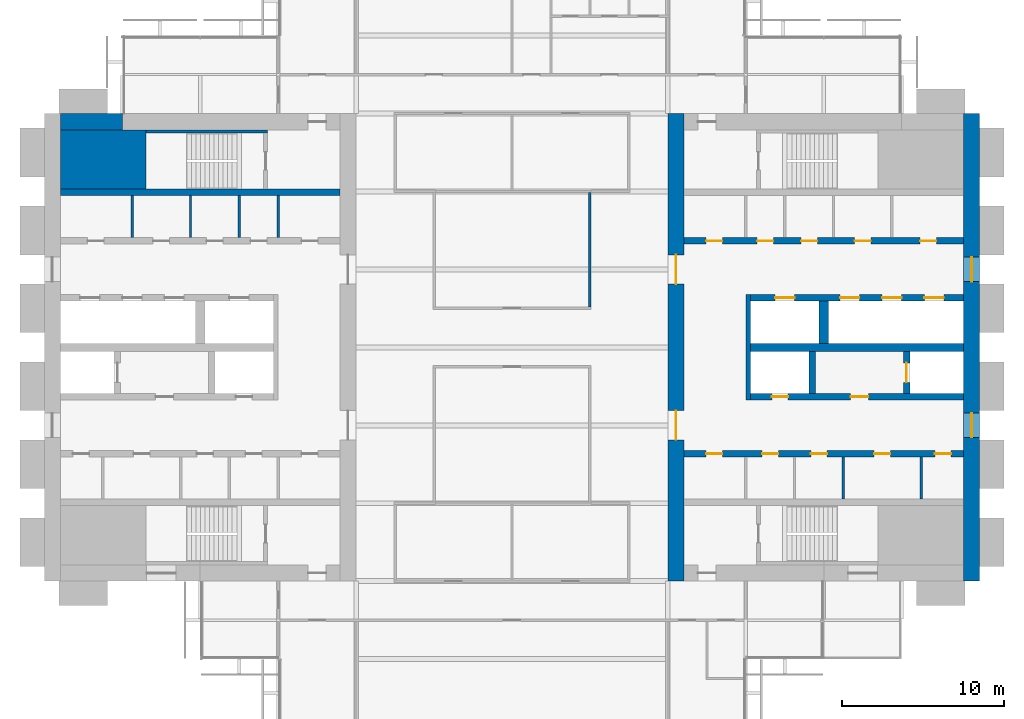
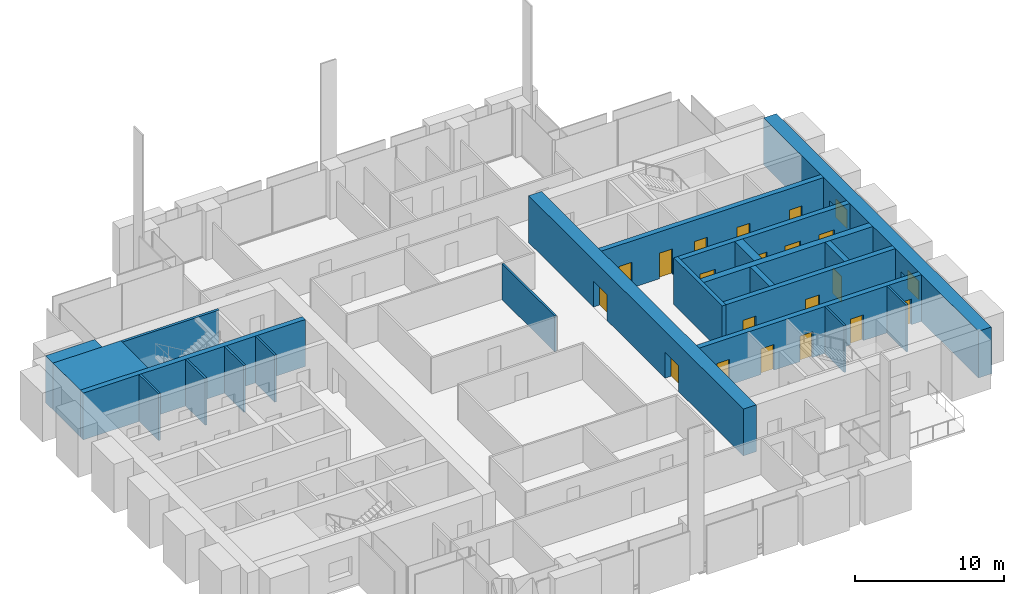
# One storey, part 11 of 14: 22 walls, 19 doors, 2 windows, 21 openings.
"""IFC4 building model written with IfcOpenShell, lengths in metres."""

from ifc_helpers import new_model, si_unit, direction, frame, frame_2d, origin, place, context, subcontext, project, spatial, rectangle, extrude, material, layer, layer_set, type_object, element, fill, save


model = new_model("IFC4")

# Units and contexts
model_context = context("Model", 3, precision=1e-05, world=origin(), true_north=direction((0.0, 1.0)))
body_context = subcontext(model_context, "Body", "Model", "MODEL_VIEW")
ifc_project = project(units=[si_unit("LENGTHUNIT", "METRE"), si_unit("AREAUNIT", "SQUARE_METRE"), si_unit("VOLUMEUNIT", "CUBIC_METRE"), si_unit("PLANEANGLEUNIT", "RADIAN"), si_unit("MASSUNIT", "GRAM", prefix="KILO")], contexts=[model_context])

# Site, building, storey
site_placement = place(None, origin())
site = spatial("IfcSite", under=ifc_project, at=site_placement, CompositionType="ELEMENT")
building_placement = place(site_placement, origin())
building = spatial("IfcBuilding", under=site, at=building_placement, Name="Baori Bourse Tower", CompositionType="ELEMENT")
storey_placement = place(building_placement, frame((0.0, 0.0, 120.10009765625)))
storey = spatial("IfcBuildingStorey", under=building, at=storey_placement, Name="L25", CompositionType="ELEMENT", Elevation=120.10009765625)

# Walls
ifc_material_1 = material(Name="Concrete f'c 60 MPa", Category="concrete")
wall_type_1 = type_object("IfcWallType", Name="Core corner block f'c 60", PredefinedType="SHEAR", material=ifc_material_1)
wall_1_placement = place(storey_placement, frame((1.0, 35.574951171875, 0.0), z_axis=(0.0, 0.0, 1.0), x_axis=(1.0, 0.0, 0.0)))
element("IfcWall", 1, at=wall_1_placement, inside=storey, type_object=wall_type_1, Name="Core wall W28", PredefinedType="SHEAR", context=body_context, shape_type="SweptSolid", body=[
    extrude(rectangle(XDim=5.25, YDim=3.64990234375, at=frame_2d((2.625, 0.0))), origin(), (0.0, 0.0, 1.0), 3.83984375),
])
ifc_material_2 = material(Name="Blockwork partition", Category="masonry")
ifc_layer_1 = layer(ifc_material_2, 0.14990234375)
ifc_layer_set_1 = layer_set([ifc_layer_1], Name="Core partition 150")
wall_type_2 = type_object("IfcWallType", Name="Core partition 150", PredefinedType="PARTITIONING", material=ifc_layer_set_1)
for number, where, z_axis, x_axis, name in (
    (2, (5.39990234375, 30.75, 0.0), (0.0, 0.0, 1.0), (0.0, 1.0, 0.0), "Partition wall W23"),
    (3, (9.0, 30.75, 0.0), (0.0, 0.0, 1.0), (0.0, 1.0, 0.0), "Partition wall W24"),
    (4, (12.0, 30.75, 0.0), (0.0, 0.0, 1.0), (0.0, 1.0, 0.0), "Partition wall W25"),
    (5, (14.39990234375, 30.75, 0.0), (0.0, 0.0, 1.0), (0.0, 1.0, 0.0), "Partition wall W26"),
    (6, (54.0, 14.64990234375, 0.0), (0.0, 0.0, 1.0), (0.0, 1.0, 0.0), "Partition wall E10"),
    (7, (49.199951171875, 14.64990234375, 0.0), (0.0, 0.0, 1.0), (0.0, 1.0, 0.0), "Partition wall E11"),
):
    element("IfcWall", number, at=place(storey_placement, frame(where, z_axis=z_axis, x_axis=x_axis)), inside=storey, type_object=wall_type_2, Name=name, PredefinedType="PARTITIONING", context=body_context, shape_type="SweptSolid", body=[
        extrude(rectangle(XDim=2.60009765625, YDim=0.14990234375, at=frame_2d((1.300048828125, 0.0))), origin(), (0.0, 0.0, 1.0), 3.83984375),
    ])
ifc_material_3 = material(Name="Concrete f'c 60 MPa", Category="concrete")
ifc_layer_2 = layer(ifc_material_3, 1.0)
ifc_layer_set_2 = layer_set([ifc_layer_2], Name="Core wall 1000 f'c 60")
wall_type_3 = type_object("IfcWallType", Name="Core wall 1000 f'c 60", PredefinedType="SHEAR", material=ifc_layer_set_2)
wall_2_placement = place(storey_placement, frame((1.0, 37.89990234375, 0.0), z_axis=(0.0, 0.0, 1.0), x_axis=(1.0, 0.0, 0.0)))
element("IfcWall", 8, at=wall_2_placement, inside=storey, type_object=wall_type_3, Name="Core wall W31", PredefinedType="SHEAR", context=body_context, shape_type="SweptSolid", body=[
    extrude(rectangle(XDim=3.800048828125, YDim=1.0, at=frame_2d((1.89990234375, 0.0))), origin(), (0.0, 0.0, 1.0), 3.83984375),
])

# Wall, openings, windows
wall_3_placement = place(storey_placement, frame((57.10009765625, 38.39990234375, 0.0), z_axis=(0.0, 0.0, 1.0), x_axis=(0.0, -1.0, 0.0)))
wall_3 = element("IfcWall", 9, at=wall_3_placement, inside=storey, type_object=wall_type_3, Name="Core wall E01", PredefinedType="SHEAR", context=body_context, shape_type="SweptSolid", body=[
    extrude(rectangle(XDim=28.7998046875, YDim=1.0, at=frame_2d((14.39990234375, 0.0))), origin(), (0.0, 0.0, 1.0), 3.83984375),
])
opening_1_placement = place(wall_3_placement, frame((18.449951171875, 0.0, 0.89990234375)))
opening_1 = element("IfcOpeningElement", 10, at=opening_1_placement, cuts=wall_3, Name="Opening L25-KW201", PredefinedType="OPENING", context=body_context, shape_type="SweptSolid", body=[
    extrude(rectangle(XDim=1.5, YDim=1.5, at=frame_2d((0.75, 0.75))), frame((0.0, 0.510009765625, 0.0), z_axis=(0.0, -1.0, 0.0), x_axis=(1.0, 0.0, 0.0)), (0.0, 0.0, 1.0), 1.02001953125),
])
opening_2_placement = place(wall_3_placement, frame((8.85009765625, 0.0, 0.89990234375)))
opening_2 = element("IfcOpeningElement", 11, at=opening_2_placement, cuts=wall_3, Name="Opening L25-KW202", PredefinedType="OPENING", context=body_context, shape_type="SweptSolid", body=[
    extrude(rectangle(XDim=1.5, YDim=1.5, at=frame_2d((0.75, 0.75))), frame((0.0, 0.510009765625, 0.0), z_axis=(0.0, -1.0, 0.0), x_axis=(1.0, 0.0, 0.0)), (0.0, 0.0, 1.0), 1.02001953125),
])
ifc_material_4 = material(Name="Pale anodised aluminium", Category="aluminium")
window_type = type_object("IfcWindowType", Name="Lobby window 1500 x 1500", PartitioningType="SINGLE_PANEL", PredefinedType="WINDOW", material=ifc_material_4)
window_1_placement = place(opening_1_placement, origin())
window_1 = element("IfcWindow", 12, at=window_1_placement, inside=storey, type_object=window_type, Name="Outer wall window E L25 1", OverallHeight=1.5, OverallWidth=1.5, PartitioningType="SINGLE_PANEL", PredefinedType="WINDOW", context=body_context, shape_type="SweptSolid", body=[
    extrude(rectangle(XDim=1.5, YDim=1.5, at=frame_2d((0.75, 0.75))), frame((0.0, 0.030029296875, 0.0), z_axis=(0.0, -1.0, 0.0), x_axis=(1.0, 0.0, 0.0)), (0.0, 0.0, 1.0), 0.06005859375),
])
fill(opening_1, window_1)
window_2_placement = place(opening_2_placement, origin())
window_2 = element("IfcWindow", 13, at=window_2_placement, inside=storey, type_object=window_type, Name="Outer wall window E L25 2", OverallHeight=1.5, OverallWidth=1.5, PartitioningType="SINGLE_PANEL", PredefinedType="WINDOW", context=body_context, shape_type="SweptSolid", body=[
    extrude(rectangle(XDim=1.5, YDim=1.5, at=frame_2d((0.75, 0.75))), frame((0.0, 0.030029296875, 0.0), z_axis=(0.0, -1.0, 0.0), x_axis=(1.0, 0.0, 0.0)), (0.0, 0.0, 1.0), 0.06005859375),
])
fill(opening_2, window_2)

# Wall, openings, doors
wall_4_placement = place(storey_placement, frame((38.89990234375, 9.60009765625, 0.0), z_axis=(0.0, 0.0, 1.0), x_axis=(0.0, 1.0, 0.0)))
wall_4 = element("IfcWall", 14, at=wall_4_placement, inside=storey, type_object=wall_type_3, Name="Core wall E04", PredefinedType="SHEAR", context=body_context, shape_type="SweptSolid", body=[
    extrude(rectangle(XDim=28.7998046875, YDim=1.0, at=frame_2d((14.39990234375, 0.0))), origin(), (0.0, 0.0, 1.0), 3.83984375),
])
opening_3_placement = place(wall_4_placement, frame((8.699951171875, 0.0, 0.0)))
opening_3 = element("IfcOpeningElement", 15, at=opening_3_placement, cuts=wall_4, Name="Opening L25-D207", PredefinedType="OPENING", context=body_context, shape_type="SweptSolid", body=[
    extrude(rectangle(XDim=1.800048828125, YDim=2.10009765625, at=frame_2d((0.89990234375, 1.050048828125))), frame((0.0, 0.510009765625, 0.0), z_axis=(0.0, -1.0, 0.0), x_axis=(1.0, 0.0, 0.0)), (0.0, 0.0, 1.0), 1.02001953125),
])
opening_4_placement = place(wall_4_placement, frame((18.300048828125, 0.0, 0.0)))
opening_4 = element("IfcOpeningElement", 16, at=opening_4_placement, cuts=wall_4, Name="Opening L25-D208", PredefinedType="OPENING", context=body_context, shape_type="SweptSolid", body=[
    extrude(rectangle(XDim=1.800048828125, YDim=2.10009765625, at=frame_2d((0.89990234375, 1.050048828125))), frame((0.0, 0.510009765625, 0.0), z_axis=(0.0, -1.0, 0.0), x_axis=(1.0, 0.0, 0.0)), (0.0, 0.0, 1.0), 1.02001953125),
])
ifc_material_5 = material(Name="Painted steel door", Category="steel")
door_type_1 = type_object("IfcDoorType", Name="Core lobby door 1800", OperationType="DOUBLE_DOOR_SINGLE_SWING", PredefinedType="DOOR", material=ifc_material_5)
door_1_placement = place(opening_3_placement, origin())
door_1 = element("IfcDoor", 17, at=door_1_placement, inside=storey, type_object=door_type_1, Name="Lobby door E L25", OperationType="DOUBLE_DOOR_SINGLE_SWING", OverallHeight=2.10009765625, OverallWidth=1.800048828125, PredefinedType="DOOR", context=body_context, shape_type="SweptSolid", body=[
    extrude(rectangle(XDim=1.800048828125, YDim=2.10009765625, at=frame_2d((0.89990234375, 1.050048828125))), frame((0.0, 0.02490234375, 0.0), z_axis=(0.0, -1.0, 0.0), x_axis=(1.0, 0.0, 0.0)), (0.0, 0.0, 1.0), 0.050048828125),
])
fill(opening_3, door_1)
door_2_placement = place(opening_4_placement, origin())
door_2 = element("IfcDoor", 18, at=door_2_placement, inside=storey, type_object=door_type_1, Name="Lobby door E L25", OperationType="DOUBLE_DOOR_SINGLE_SWING", OverallHeight=2.10009765625, OverallWidth=1.800048828125, PredefinedType="DOOR", context=body_context, shape_type="SweptSolid", body=[
    extrude(rectangle(XDim=1.800048828125, YDim=2.10009765625, at=frame_2d((0.89990234375, 1.050048828125))), frame((0.0, 0.02490234375, 0.0), z_axis=(0.0, -1.0, 0.0), x_axis=(1.0, 0.0, 0.0)), (0.0, 0.0, 1.0), 0.050048828125),
])
fill(opening_4, door_2)

# Walls
ifc_material_6 = material(Name="Gypsum board partition")
ifc_layer_3 = layer(ifc_material_6, 0.14990234375)
ifc_layer_set_3 = layer_set([ifc_layer_3], Name="Corridor partition 150")
wall_type_4 = type_object("IfcWallType", Name="Corridor partition 150", PredefinedType="PARTITIONING", material=ifc_layer_set_3)
wall_5_placement = place(storey_placement, frame((33.60009765625, 26.47509765625, 0.0), z_axis=(0.0, 0.0, 1.0), x_axis=(0.0, 1.0, 0.0)))
element("IfcWall", 19, at=wall_5_placement, inside=storey, type_object=wall_type_4, Name="Partition", PredefinedType="PARTITIONING", context=body_context, shape_type="SweptSolid", body=[
    extrude(rectangle(XDim=7.0498046875, YDim=0.14990234375, at=frame_2d((3.52490234375, 0.0))), origin(), (0.0, 0.0, 1.0), 2.935546875),
])
ifc_material_7 = material(Name="Concrete f'c 60 MPa", Category="concrete")
ifc_layer_4 = layer(ifc_material_7, 0.199951171875)
ifc_layer_set_4 = layer_set([ifc_layer_4], Name="Shaft wall 200 f'c 60")
wall_type_5 = type_object("IfcWallType", Name="Shaft wall 200 f'c 60", PredefinedType="SHEAR", material=ifc_layer_set_4)
wall_6_placement = place(storey_placement, frame((6.25, 37.300048828125, 0.0), z_axis=(0.0, 0.0, 1.0), x_axis=(1.0, 0.0, 0.0)))
element("IfcWall", 20, at=wall_6_placement, inside=storey, type_object=wall_type_5, Name="Core wall W30", PredefinedType="SHEAR", context=body_context, shape_type="SweptSolid", body=[
    extrude(rectangle(XDim=7.5, YDim=0.199951171875, at=frame_2d((3.75, 0.0))), origin(), (0.0, 0.0, 1.0), 3.83984375),
])
ifc_material_8 = material(Name="Concrete f'c 60 MPa", Category="concrete")
ifc_layer_5 = layer(ifc_material_8, 0.300048828125)
ifc_layer_set_5 = layer_set([ifc_layer_5], Name="Shaft wall 300 f'c 60")
wall_type_6 = type_object("IfcWallType", Name="Shaft wall 300 f'c 60", PredefinedType="SHEAR", material=ifc_layer_set_5)
wall_7_placement = place(storey_placement, frame((43.35009765625, 20.75, 0.0), z_axis=(0.0, 0.0, 1.0), x_axis=(0.0, 1.0, 0.0)))
element("IfcWall", 21, at=wall_7_placement, inside=storey, type_object=wall_type_6, Name="Core wall E16", PredefinedType="SHEAR", context=body_context, shape_type="SweptSolid", body=[
    extrude(rectangle(XDim=6.5, YDim=0.300048828125, at=frame_2d((3.25, 0.0))), origin(), (0.0, 0.0, 1.0), 3.83984375),
])
ifc_material_9 = material(Name="Concrete f'c 60 MPa", Category="concrete")
ifc_layer_6 = layer(ifc_material_9, 0.39990234375)
ifc_layer_set_6 = layer_set([ifc_layer_6], Name="Shaft wall 400 f'c 60")
wall_type_7 = type_object("IfcWallType", Name="Shaft wall 400 f'c 60", PredefinedType="SHEAR", material=ifc_layer_set_6)
wall_8_placement = place(storey_placement, frame((1.0, 33.550048828125, 0.0), z_axis=(0.0, 0.0, 1.0), x_axis=(1.0, 0.0, 0.0)))
element("IfcWall", 22, at=wall_8_placement, inside=storey, type_object=wall_type_7, Name="Core wall W27", PredefinedType="SHEAR", context=body_context, shape_type="SweptSolid", body=[
    extrude(rectangle(XDim=17.199951171875, YDim=0.39990234375, at=frame_2d((8.60009765625, 0.0))), origin(), (0.0, 0.0, 1.0), 3.83984375),
])

# Wall, openings, doors
wall_9_placement = place(storey_placement, frame((39.39990234375, 17.449951171875, 0.0), z_axis=(0.0, 0.0, 1.0), x_axis=(1.0, 0.0, 0.0)))
wall_9 = element("IfcWall", 23, at=wall_9_placement, inside=storey, type_object=wall_type_7, Name="Core wall E14", PredefinedType="SHEAR", context=body_context, shape_type="SweptSolid", body=[
    extrude(rectangle(XDim=17.2001953125, YDim=0.39990234375, at=frame_2d((8.60009765625, 0.0))), origin(), (0.0, 0.0, 1.0), 3.83984375),
])
opening_5_placement = place(wall_9_placement, frame((15.4375, 0.0, 0.0)))
opening_5 = element("IfcOpeningElement", 24, at=opening_5_placement, cuts=wall_9, Name="Opening L25-D214", PredefinedType="OPENING", context=body_context, shape_type="SweptSolid", body=[
    extrude(rectangle(XDim=1.0, YDim=2.10009765625, at=frame_2d((0.5, 1.050048828125))), frame((0.0, 0.2099609375, 0.0), z_axis=(0.0, -1.0, 0.0), x_axis=(1.0, 0.0, 0.0)), (0.0, 0.0, 1.0), 0.419921875),
])
opening_6_placement = place(wall_9_placement, frame((11.699951171875, 0.0, 0.0)))
opening_6 = element("IfcOpeningElement", 25, at=opening_6_placement, cuts=wall_9, Name="Opening L25-D215", PredefinedType="OPENING", context=body_context, shape_type="SweptSolid", body=[
    extrude(rectangle(XDim=1.0, YDim=2.10009765625, at=frame_2d((0.5, 1.050048828125))), frame((0.0, 0.2099609375, 0.0), z_axis=(0.0, -1.0, 0.0), x_axis=(1.0, 0.0, 0.0)), (0.0, 0.0, 1.0), 0.419921875),
])
opening_7_placement = place(wall_9_placement, frame((7.800048828125, 0.0, 0.0)))
opening_7 = element("IfcOpeningElement", 26, at=opening_7_placement, cuts=wall_9, Name="Opening L25-D216", PredefinedType="OPENING", context=body_context, shape_type="SweptSolid", body=[
    extrude(rectangle(XDim=1.0, YDim=2.10009765625, at=frame_2d((0.5, 1.050048828125))), frame((0.0, 0.2099609375, 0.0), z_axis=(0.0, -1.0, 0.0), x_axis=(1.0, 0.0, 0.0)), (0.0, 0.0, 1.0), 0.419921875),
])
opening_8_placement = place(wall_9_placement, frame((4.800048828125, 0.0, 0.0)))
opening_8 = element("IfcOpeningElement", 27, at=opening_8_placement, cuts=wall_9, Name="Opening L25-D217", PredefinedType="OPENING", context=body_context, shape_type="SweptSolid", body=[
    extrude(rectangle(XDim=1.0, YDim=2.10009765625, at=frame_2d((0.5, 1.050048828125))), frame((0.0, 0.2099609375, 0.0), z_axis=(0.0, -1.0, 0.0), x_axis=(1.0, 0.0, 0.0)), (0.0, 0.0, 1.0), 0.419921875),
])
opening_9_placement = place(wall_9_placement, frame((1.362548828125, 0.0, 0.0)))
opening_9 = element("IfcOpeningElement", 28, at=opening_9_placement, cuts=wall_9, Name="Opening L25-D218", PredefinedType="OPENING", context=body_context, shape_type="SweptSolid", body=[
    extrude(rectangle(XDim=1.0, YDim=2.10009765625, at=frame_2d((0.5, 1.050048828125))), frame((0.0, 0.2099609375, 0.0), z_axis=(0.0, -1.0, 0.0), x_axis=(1.0, 0.0, 0.0)), (0.0, 0.0, 1.0), 0.419921875),
])
ifc_material_10 = material(Name="Painted steel door", Category="steel")
door_type_2 = type_object("IfcDoorType", Name="Core door 1000", OperationType="SINGLE_SWING_LEFT", PredefinedType="DOOR", material=ifc_material_10)
door_3_placement = place(opening_6_placement, origin())
door_3 = element("IfcDoor", 29, at=door_3_placement, inside=storey, type_object=door_type_2, Name="Men'S Wc door E L25", OperationType="SINGLE_SWING_LEFT", OverallHeight=2.10009765625, OverallWidth=1.0, PredefinedType="DOOR", context=body_context, shape_type="SweptSolid", body=[
    extrude(rectangle(XDim=1.0, YDim=2.10009765625, at=frame_2d((0.5, 1.050048828125))), frame((0.0, 0.02490234375, 0.0), z_axis=(0.0, -1.0, 0.0), x_axis=(1.0, 0.0, 0.0)), (0.0, 0.0, 1.0), 0.050048828125),
])
fill(opening_6, door_3)
door_4_placement = place(opening_7_placement, origin())
door_4 = element("IfcDoor", 30, at=door_4_placement, inside=storey, type_object=door_type_2, Name="Accessible Wc door E L25", OperationType="SINGLE_SWING_LEFT", OverallHeight=2.10009765625, OverallWidth=1.0, PredefinedType="DOOR", context=body_context, shape_type="SweptSolid", body=[
    extrude(rectangle(XDim=1.0, YDim=2.10009765625, at=frame_2d((0.5, 1.050048828125))), frame((0.0, 0.02490234375, 0.0), z_axis=(0.0, -1.0, 0.0), x_axis=(1.0, 0.0, 0.0)), (0.0, 0.0, 1.0), 0.050048828125),
])
fill(opening_7, door_4)
door_5_placement = place(opening_9_placement, origin())
door_5 = element("IfcDoor", 31, at=door_5_placement, inside=storey, type_object=door_type_2, Name="Women'S Wc door E L25", OperationType="SINGLE_SWING_LEFT", OverallHeight=2.10009765625, OverallWidth=1.0, PredefinedType="DOOR", context=body_context, shape_type="SweptSolid", body=[
    extrude(rectangle(XDim=1.0, YDim=2.10009765625, at=frame_2d((0.5, 1.050048828125))), frame((0.0, 0.02490234375, 0.0), z_axis=(0.0, -1.0, 0.0), x_axis=(1.0, 0.0, 0.0)), (0.0, 0.0, 1.0), 0.050048828125),
])
fill(opening_9, door_5)
ifc_material_11 = material(Name="Painted steel door", Category="steel")
door_type_3 = type_object("IfcDoorType", Name="Plant room door 1000", OperationType="SINGLE_SWING_LEFT", PredefinedType="DOOR", material=ifc_material_11)
door_6_placement = place(opening_5_placement, origin())
door_6 = element("IfcDoor", 32, at=door_6_placement, inside=storey, type_object=door_type_3, Name="Communications Room door E L25", OperationType="SINGLE_SWING_LEFT", OverallHeight=2.10009765625, OverallWidth=1.0, PredefinedType="DOOR", context=body_context, shape_type="SweptSolid", body=[
    extrude(rectangle(XDim=1.0, YDim=2.10009765625, at=frame_2d((0.5, 1.050048828125))), frame((0.0, 0.02490234375, 0.0), z_axis=(0.0, -1.0, 0.0), x_axis=(1.0, 0.0, 0.0)), (0.0, 0.0, 1.0), 0.050048828125),
])
fill(opening_5, door_6)
door_7_placement = place(opening_8_placement, origin())
door_7 = element("IfcDoor", 33, at=door_7_placement, inside=storey, type_object=door_type_3, Name="Communications Room door E L25", OperationType="SINGLE_SWING_LEFT", OverallHeight=2.10009765625, OverallWidth=1.0, PredefinedType="DOOR", context=body_context, shape_type="SweptSolid", body=[
    extrude(rectangle(XDim=1.0, YDim=2.10009765625, at=frame_2d((0.5, 1.050048828125))), frame((0.0, 0.02490234375, 0.0), z_axis=(0.0, -1.0, 0.0), x_axis=(1.0, 0.0, 0.0)), (0.0, 0.0, 1.0), 0.050048828125),
])
fill(opening_8, door_7)

wall_10_placement = place(storey_placement, frame((43.5, 20.949951171875, 0.0), z_axis=(0.0, 0.0, 1.0), x_axis=(1.0, 0.0, 0.0)))
wall_10 = element("IfcWall", 34, at=wall_10_placement, inside=storey, type_object=wall_type_7, Name="Core wall E15", PredefinedType="SHEAR", context=body_context, shape_type="SweptSolid", body=[
    extrude(rectangle(XDim=13.10009765625, YDim=0.39990234375, at=frame_2d((6.550048828125, 0.0))), origin(), (0.0, 0.0, 1.0), 3.83984375),
])
opening_10_placement = place(wall_10_placement, frame((6.14990234375, 0.0, 0.0)))
opening_10 = element("IfcOpeningElement", 35, at=opening_10_placement, cuts=wall_10, Name="Opening L25-D205", PredefinedType="OPENING", context=body_context, shape_type="SweptSolid", body=[
    extrude(rectangle(XDim=1.10009765625, YDim=2.10009765625, at=frame_2d((0.550048828125, 1.050048828125))), frame((0.0, 0.2099609375, 0.0), z_axis=(0.0, -1.0, 0.0), x_axis=(1.0, 0.0, 0.0)), (0.0, 0.0, 1.0), 0.419921875),
])
opening_11_placement = place(wall_10_placement, frame((1.300048828125, 0.0, 0.0)))
opening_11 = element("IfcOpeningElement", 36, at=opening_11_placement, cuts=wall_10, Name="Opening L25-D206", PredefinedType="OPENING", context=body_context, shape_type="SweptSolid", body=[
    extrude(rectangle(XDim=1.0, YDim=2.10009765625, at=frame_2d((0.5, 1.050048828125))), frame((0.0, 0.2099609375, 0.0), z_axis=(0.0, -1.0, 0.0), x_axis=(1.0, 0.0, 0.0)), (0.0, 0.0, 1.0), 0.419921875),
])
ifc_material_12 = material(Name="Painted steel door", Category="steel")
door_type_4 = type_object("IfcDoorType", Name="Lobby door 1100", OperationType="SINGLE_SWING_LEFT", PredefinedType="DOOR", material=ifc_material_12)
door_8_placement = place(opening_10_placement, origin())
door_8 = element("IfcDoor", 37, at=door_8_placement, inside=storey, type_object=door_type_4, Name="Firefighting lobby door E L25", OperationType="SINGLE_SWING_LEFT", OverallHeight=2.10009765625, OverallWidth=1.10009765625, PredefinedType="DOOR", context=body_context, shape_type="SweptSolid", body=[
    extrude(rectangle(XDim=1.10009765625, YDim=2.10009765625, at=frame_2d((0.550048828125, 1.050048828125))), frame((0.0, 0.02490234375, 0.0), z_axis=(0.0, -1.0, 0.0), x_axis=(1.0, 0.0, 0.0)), (0.0, 0.0, 1.0), 0.050048828125),
])
fill(opening_10, door_8)
ifc_material_13 = material(Name="Painted steel door", Category="steel")
door_type_5 = type_object("IfcDoorType", Name="Shaft door 1000", OperationType="SINGLE_SWING_LEFT", PredefinedType="DOOR", material=ifc_material_13)
door_9_placement = place(opening_11_placement, origin())
door_9 = element("IfcDoor", 38, at=door_9_placement, inside=storey, type_object=door_type_5, Name="Riser room door E L25", OperationType="SINGLE_SWING_LEFT", OverallHeight=2.10009765625, OverallWidth=1.0, PredefinedType="DOOR", context=body_context, shape_type="SweptSolid", body=[
    extrude(rectangle(XDim=1.0, YDim=2.10009765625, at=frame_2d((0.5, 1.050048828125))), frame((0.0, 0.02490234375, 0.0), z_axis=(0.0, -1.0, 0.0), x_axis=(1.0, 0.0, 0.0)), (0.0, 0.0, 1.0), 0.050048828125),
])
fill(opening_11, door_9)

# Wall, opening, door
wall_11_placement = place(storey_placement, frame((53.10009765625, 21.14990234375, 0.0), z_axis=(0.0, 0.0, 1.0), x_axis=(0.0, 1.0, 0.0)))
wall_11 = element("IfcWall", 39, at=wall_11_placement, inside=storey, type_object=wall_type_7, Name="Core wall E17", PredefinedType="SHEAR", context=body_context, shape_type="SweptSolid", body=[
    extrude(rectangle(XDim=2.60009765625, YDim=0.39990234375, at=frame_2d((1.300048828125, 0.0))), origin(), (0.0, 0.0, 1.0), 3.83984375),
])
opening_12_placement = place(wall_11_placement, frame((0.699951171875, 0.0, 0.0)))
opening_12 = element("IfcOpeningElement", 40, at=opening_12_placement, cuts=wall_11, Name="Opening L25-D223", PredefinedType="OPENING", context=body_context, shape_type="SweptSolid", body=[
    extrude(rectangle(XDim=1.199951171875, YDim=2.10009765625, at=frame_2d((0.60009765625, 1.050048828125))), frame((0.0, 0.2099609375, 0.0), z_axis=(0.0, -1.0, 0.0), x_axis=(1.0, 0.0, 0.0)), (0.0, 0.0, 1.0), 0.419921875),
])
ifc_material_14 = material(Name="Stainless steel door", Category="steel")
door_type_6 = type_object("IfcDoorType", Name="Lift landing door", OperationType="DOUBLE_DOOR_SLIDING", PredefinedType="DOOR", material=ifc_material_14)
door_10_placement = place(opening_12_placement, origin())
door_10 = element("IfcDoor", 41, at=door_10_placement, inside=storey, type_object=door_type_6, Name="Lift landing door FF2 E L25", OperationType="DOUBLE_DOOR_SLIDING", OverallHeight=2.10009765625, OverallWidth=1.199951171875, PredefinedType="DOOR", context=body_context, shape_type="SweptSolid", body=[
    extrude(rectangle(XDim=1.199951171875, YDim=2.10009765625, at=frame_2d((0.60009765625, 1.050048828125))), frame((0.0, 0.02490234375, 0.0), z_axis=(0.0, -1.0, 0.0), x_axis=(1.0, 0.0, 0.0)), (0.0, 0.0, 1.0), 0.050048828125),
])
fill(opening_12, door_10)

# Wall
wall_12_placement = place(storey_placement, frame((47.300048828125, 21.14990234375, 0.0), z_axis=(0.0, 0.0, 1.0), x_axis=(0.0, 1.0, 0.0)))
element("IfcWall", 42, at=wall_12_placement, inside=storey, type_object=wall_type_7, Name="Core wall E18", PredefinedType="SHEAR", context=body_context, shape_type="SweptSolid", body=[
    extrude(rectangle(XDim=2.60009765625, YDim=0.39990234375, at=frame_2d((1.300048828125, 0.0))), origin(), (0.0, 0.0, 1.0), 3.83984375),
])

# Wall, openings, doors
wall_13_placement = place(storey_placement, frame((43.5, 27.050048828125, 0.0), z_axis=(0.0, 0.0, 1.0), x_axis=(1.0, 0.0, 0.0)))
wall_13 = element("IfcWall", 43, at=wall_13_placement, inside=storey, type_object=wall_type_7, Name="Core wall E21", PredefinedType="SHEAR", context=body_context, shape_type="SweptSolid", body=[
    extrude(rectangle(XDim=13.10009765625, YDim=0.39990234375, at=frame_2d((6.550048828125, 0.0))), origin(), (0.0, 0.0, 1.0), 3.83984375),
])
opening_13_placement = place(wall_13_placement, frame((10.699951171875, 0.0, 0.0)))
opening_13 = element("IfcOpeningElement", 44, at=opening_13_placement, cuts=wall_13, Name="Opening L25-D219", PredefinedType="OPENING", context=body_context, shape_type="SweptSolid", body=[
    extrude(rectangle(XDim=1.199951171875, YDim=2.10009765625, at=frame_2d((0.60009765625, 1.050048828125))), frame((0.0, 0.2099609375, 0.0), z_axis=(0.0, -1.0, 0.0), x_axis=(1.0, 0.0, 0.0)), (0.0, 0.0, 1.0), 0.419921875),
])
opening_14_placement = place(wall_13_placement, frame((8.10009765625, 0.0, 0.0)))
opening_14 = element("IfcOpeningElement", 45, at=opening_14_placement, cuts=wall_13, Name="Opening L25-D220", PredefinedType="OPENING", context=body_context, shape_type="SweptSolid", body=[
    extrude(rectangle(XDim=1.199951171875, YDim=2.10009765625, at=frame_2d((0.60009765625, 1.050048828125))), frame((0.0, 0.2099609375, 0.0), z_axis=(0.0, -1.0, 0.0), x_axis=(1.0, 0.0, 0.0)), (0.0, 0.0, 1.0), 0.419921875),
])
opening_15_placement = place(wall_13_placement, frame((5.5, 0.0, 0.0)))
opening_15 = element("IfcOpeningElement", 46, at=opening_15_placement, cuts=wall_13, Name="Opening L25-D221", PredefinedType="OPENING", context=body_context, shape_type="SweptSolid", body=[
    extrude(rectangle(XDim=1.199951171875, YDim=2.10009765625, at=frame_2d((0.60009765625, 1.050048828125))), frame((0.0, 0.2099609375, 0.0), z_axis=(0.0, -1.0, 0.0), x_axis=(1.0, 0.0, 0.0)), (0.0, 0.0, 1.0), 0.419921875),
])
opening_16_placement = place(wall_13_placement, frame((1.5, 0.0, 0.0)))
opening_16 = element("IfcOpeningElement", 47, at=opening_16_placement, cuts=wall_13, Name="Opening L25-D222", PredefinedType="OPENING", context=body_context, shape_type="SweptSolid", body=[
    extrude(rectangle(XDim=1.199951171875, YDim=2.10009765625, at=frame_2d((0.60009765625, 1.050048828125))), frame((0.0, 0.2099609375, 0.0), z_axis=(0.0, -1.0, 0.0), x_axis=(1.0, 0.0, 0.0)), (0.0, 0.0, 1.0), 0.419921875),
])
door_11_placement = place(opening_13_placement, origin())
door_11 = element("IfcDoor", 48, at=door_11_placement, inside=storey, type_object=door_type_6, Name="Lift landing door SH1 E L25", OperationType="DOUBLE_DOOR_SLIDING", OverallHeight=2.10009765625, OverallWidth=1.199951171875, PredefinedType="DOOR", context=body_context, shape_type="SweptSolid", body=[
    extrude(rectangle(XDim=1.199951171875, YDim=2.10009765625, at=frame_2d((0.60009765625, 1.050048828125))), frame((0.0, 0.02490234375, 0.0), z_axis=(0.0, -1.0, 0.0), x_axis=(1.0, 0.0, 0.0)), (0.0, 0.0, 1.0), 0.050048828125),
])
fill(opening_13, door_11)
door_12_placement = place(opening_14_placement, origin())
door_12 = element("IfcDoor", 49, at=door_12_placement, inside=storey, type_object=door_type_6, Name="Lift landing door SH2 E L25", OperationType="DOUBLE_DOOR_SLIDING", OverallHeight=2.10009765625, OverallWidth=1.199951171875, PredefinedType="DOOR", context=body_context, shape_type="SweptSolid", body=[
    extrude(rectangle(XDim=1.199951171875, YDim=2.10009765625, at=frame_2d((0.60009765625, 1.050048828125))), frame((0.0, 0.02490234375, 0.0), z_axis=(0.0, -1.0, 0.0), x_axis=(1.0, 0.0, 0.0)), (0.0, 0.0, 1.0), 0.050048828125),
])
fill(opening_14, door_12)
door_13_placement = place(opening_15_placement, origin())
door_13 = element("IfcDoor", 50, at=door_13_placement, inside=storey, type_object=door_type_6, Name="Lift landing door SH3 E L25", OperationType="DOUBLE_DOOR_SLIDING", OverallHeight=2.10009765625, OverallWidth=1.199951171875, PredefinedType="DOOR", context=body_context, shape_type="SweptSolid", body=[
    extrude(rectangle(XDim=1.199951171875, YDim=2.10009765625, at=frame_2d((0.60009765625, 1.050048828125))), frame((0.0, 0.02490234375, 0.0), z_axis=(0.0, -1.0, 0.0), x_axis=(1.0, 0.0, 0.0)), (0.0, 0.0, 1.0), 0.050048828125),
])
fill(opening_15, door_13)
door_14_placement = place(opening_16_placement, origin())
door_14 = element("IfcDoor", 51, at=door_14_placement, inside=storey, type_object=door_type_6, Name="Lift landing door SV1 E L25", OperationType="DOUBLE_DOOR_SLIDING", OverallHeight=2.10009765625, OverallWidth=1.199951171875, PredefinedType="DOOR", context=body_context, shape_type="SweptSolid", body=[
    extrude(rectangle(XDim=1.199951171875, YDim=2.10009765625, at=frame_2d((0.60009765625, 1.050048828125))), frame((0.0, 0.02490234375, 0.0), z_axis=(0.0, -1.0, 0.0), x_axis=(1.0, 0.0, 0.0)), (0.0, 0.0, 1.0), 0.050048828125),
])
fill(opening_16, door_14)

wall_14_placement = place(storey_placement, frame((39.39990234375, 30.550048828125, 0.0), z_axis=(0.0, 0.0, 1.0), x_axis=(1.0, 0.0, 0.0)))
wall_14 = element("IfcWall", 52, at=wall_14_placement, inside=storey, type_object=wall_type_7, Name="Core wall E22", PredefinedType="SHEAR", context=body_context, shape_type="SweptSolid", body=[
    extrude(rectangle(XDim=17.2001953125, YDim=0.39990234375, at=frame_2d((8.60009765625, 0.0))), origin(), (0.0, 0.0, 1.0), 3.83984375),
])
opening_17_placement = place(wall_14_placement, frame((14.53759765625, 0.0, 0.0)))
opening_17 = element("IfcOpeningElement", 53, at=opening_17_placement, cuts=wall_14, Name="Opening L25-D209", PredefinedType="OPENING", context=body_context, shape_type="SweptSolid", body=[
    extrude(rectangle(XDim=1.0, YDim=2.10009765625, at=frame_2d((0.5, 1.050048828125))), frame((0.0, 0.2099609375, 0.0), z_axis=(0.0, -1.0, 0.0), x_axis=(1.0, 0.0, 0.0)), (0.0, 0.0, 1.0), 0.419921875),
])
opening_18_placement = place(wall_14_placement, frame((10.5, 0.0, 0.0)))
opening_18 = element("IfcOpeningElement", 54, at=opening_18_placement, cuts=wall_14, Name="Opening L25-D210", PredefinedType="OPENING", context=body_context, shape_type="SweptSolid", body=[
    extrude(rectangle(XDim=1.0, YDim=2.10009765625, at=frame_2d((0.5, 1.050048828125))), frame((0.0, 0.2099609375, 0.0), z_axis=(0.0, -1.0, 0.0), x_axis=(1.0, 0.0, 0.0)), (0.0, 0.0, 1.0), 0.419921875),
])
opening_19_placement = place(wall_14_placement, frame((7.199951171875, 0.0, 0.0)))
opening_19 = element("IfcOpeningElement", 55, at=opening_19_placement, cuts=wall_14, Name="Opening L25-D211", PredefinedType="OPENING", context=body_context, shape_type="SweptSolid", body=[
    extrude(rectangle(XDim=1.0, YDim=2.10009765625, at=frame_2d((0.5, 1.050048828125))), frame((0.0, 0.2099609375, 0.0), z_axis=(0.0, -1.0, 0.0), x_axis=(1.0, 0.0, 0.0)), (0.0, 0.0, 1.0), 0.419921875),
])
opening_20_placement = place(wall_14_placement, frame((4.5, 0.0, 0.0)))
opening_20 = element("IfcOpeningElement", 56, at=opening_20_placement, cuts=wall_14, Name="Opening L25-D212", PredefinedType="OPENING", context=body_context, shape_type="SweptSolid", body=[
    extrude(rectangle(XDim=1.0, YDim=2.10009765625, at=frame_2d((0.5, 1.050048828125))), frame((0.0, 0.2099609375, 0.0), z_axis=(0.0, -1.0, 0.0), x_axis=(1.0, 0.0, 0.0)), (0.0, 0.0, 1.0), 0.419921875),
])
opening_21_placement = place(wall_14_placement, frame((1.362548828125, 0.0, 0.0)))
opening_21 = element("IfcOpeningElement", 57, at=opening_21_placement, cuts=wall_14, Name="Opening L25-D213", PredefinedType="OPENING", context=body_context, shape_type="SweptSolid", body=[
    extrude(rectangle(XDim=1.0, YDim=2.10009765625, at=frame_2d((0.5, 1.050048828125))), frame((0.0, 0.2099609375, 0.0), z_axis=(0.0, -1.0, 0.0), x_axis=(1.0, 0.0, 0.0)), (0.0, 0.0, 1.0), 0.419921875),
])
door_15_placement = place(opening_17_placement, origin())
door_15 = element("IfcDoor", 58, at=door_15_placement, inside=storey, type_object=door_type_2, Name="Men'S Wc door E L25", OperationType="SINGLE_SWING_LEFT", OverallHeight=2.10009765625, OverallWidth=1.0, PredefinedType="DOOR", context=body_context, shape_type="SweptSolid", body=[
    extrude(rectangle(XDim=1.0, YDim=2.10009765625, at=frame_2d((0.5, 1.050048828125))), frame((0.0, 0.02490234375, 0.0), z_axis=(0.0, -1.0, 0.0), x_axis=(1.0, 0.0, 0.0)), (0.0, 0.0, 1.0), 0.050048828125),
])
fill(opening_17, door_15)
door_16_placement = place(opening_18_placement, origin())
door_16 = element("IfcDoor", 59, at=door_16_placement, inside=storey, type_object=door_type_2, Name="Women'S Wc door E L25", OperationType="SINGLE_SWING_LEFT", OverallHeight=2.10009765625, OverallWidth=1.0, PredefinedType="DOOR", context=body_context, shape_type="SweptSolid", body=[
    extrude(rectangle(XDim=1.0, YDim=2.10009765625, at=frame_2d((0.5, 1.050048828125))), frame((0.0, 0.02490234375, 0.0), z_axis=(0.0, -1.0, 0.0), x_axis=(1.0, 0.0, 0.0)), (0.0, 0.0, 1.0), 0.050048828125),
])
fill(opening_18, door_16)
door_17_placement = place(opening_21_placement, origin())
door_17 = element("IfcDoor", 60, at=door_17_placement, inside=storey, type_object=door_type_2, Name="Accessible Wc door E L25", OperationType="SINGLE_SWING_LEFT", OverallHeight=2.10009765625, OverallWidth=1.0, PredefinedType="DOOR", context=body_context, shape_type="SweptSolid", body=[
    extrude(rectangle(XDim=1.0, YDim=2.10009765625, at=frame_2d((0.5, 1.050048828125))), frame((0.0, 0.02490234375, 0.0), z_axis=(0.0, -1.0, 0.0), x_axis=(1.0, 0.0, 0.0)), (0.0, 0.0, 1.0), 0.050048828125),
])
fill(opening_21, door_17)
door_18_placement = place(opening_19_placement, origin())
door_18 = element("IfcDoor", 61, at=door_18_placement, inside=storey, type_object=door_type_3, Name="Communications Room door E L25", OperationType="SINGLE_SWING_LEFT", OverallHeight=2.10009765625, OverallWidth=1.0, PredefinedType="DOOR", context=body_context, shape_type="SweptSolid", body=[
    extrude(rectangle(XDim=1.0, YDim=2.10009765625, at=frame_2d((0.5, 1.050048828125))), frame((0.0, 0.02490234375, 0.0), z_axis=(0.0, -1.0, 0.0), x_axis=(1.0, 0.0, 0.0)), (0.0, 0.0, 1.0), 0.050048828125),
])
fill(opening_19, door_18)
door_19_placement = place(opening_20_placement, origin())
door_19 = element("IfcDoor", 62, at=door_19_placement, inside=storey, type_object=door_type_3, Name="Plumbing Equipment Room door E L25", OperationType="SINGLE_SWING_LEFT", OverallHeight=2.10009765625, OverallWidth=1.0, PredefinedType="DOOR", context=body_context, shape_type="SweptSolid", body=[
    extrude(rectangle(XDim=1.0, YDim=2.10009765625, at=frame_2d((0.5, 1.050048828125))), frame((0.0, 0.02490234375, 0.0), z_axis=(0.0, -1.0, 0.0), x_axis=(1.0, 0.0, 0.0)), (0.0, 0.0, 1.0), 0.050048828125),
])
fill(opening_20, door_19)

# Walls
ifc_material_15 = material(Name="Concrete f'c 60 MPa", Category="concrete")
ifc_layer_7 = layer(ifc_material_15, 0.5)
ifc_layer_set_7 = layer_set([ifc_layer_7], Name="Shaft wall 500 f'c 60")
wall_type_8 = type_object("IfcWallType", Name="Shaft wall 500 f'c 60", PredefinedType="SHEAR", material=ifc_layer_set_7)
wall_15_placement = place(storey_placement, frame((43.5, 24.0, 0.0), z_axis=(0.0, 0.0, 1.0), x_axis=(1.0, 0.0, 0.0)))
element("IfcWall", 63, at=wall_15_placement, inside=storey, type_object=wall_type_8, Name="Core wall E19", PredefinedType="SHEAR", context=body_context, shape_type="SweptSolid", body=[
    extrude(rectangle(XDim=13.10009765625, YDim=0.5, at=frame_2d((6.550048828125, 0.0))), origin(), (0.0, 0.0, 1.0), 3.83984375),
])
ifc_material_16 = material(Name="Concrete f'c 60 MPa", Category="concrete")
ifc_layer_8 = layer(ifc_material_16, 0.60009765625)
ifc_layer_set_8 = layer_set([ifc_layer_8], Name="Shaft wall 600 f'c 60")
wall_type_9 = type_object("IfcWallType", Name="Shaft wall 600 f'c 60", PredefinedType="SHEAR", material=ifc_layer_set_8)
wall_16_placement = place(storey_placement, frame((48.0, 24.25, 0.0), z_axis=(0.0, 0.0, 1.0), x_axis=(0.0, 1.0, 0.0)))
element("IfcWall", 64, at=wall_16_placement, inside=storey, type_object=wall_type_9, Name="Core wall E20", PredefinedType="SHEAR", context=body_context, shape_type="SweptSolid", body=[
    extrude(rectangle(XDim=2.60009765625, YDim=0.60009765625, at=frame_2d((1.300048828125, 0.0))), origin(), (0.0, 0.0, 1.0), 3.83984375),
])

save(model, "model.ifc")
